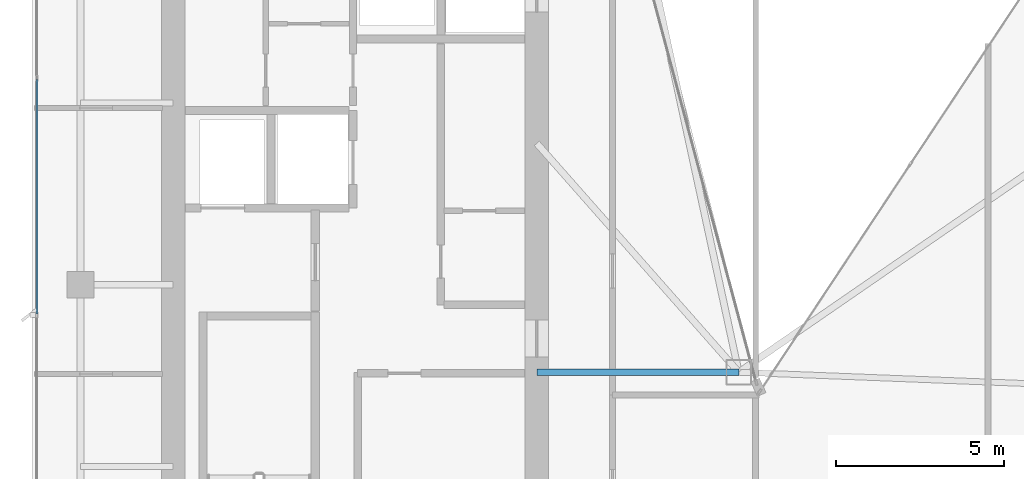
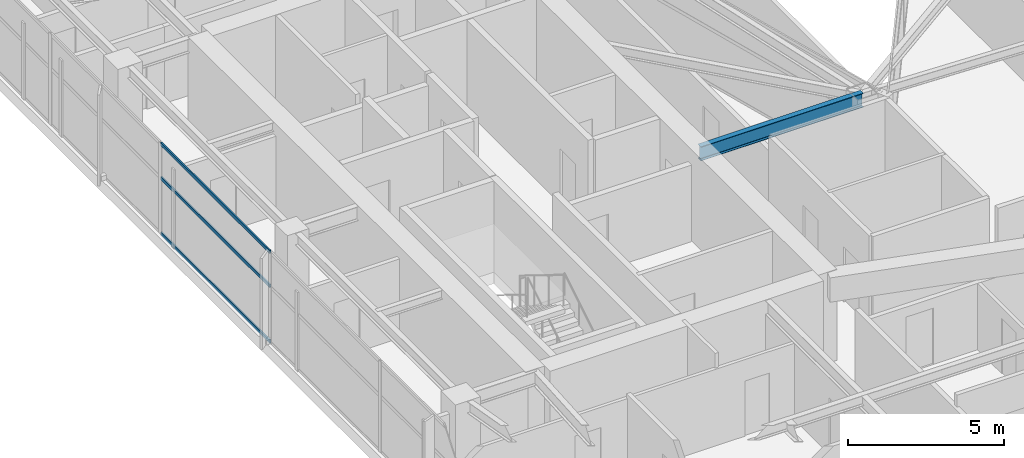
# One storey, part 10 of 28: 3 members, 1 beam, 1 element without a shape of its own.
"""IFC4 building model written with IfcOpenShell, lengths in metres."""

from ifc_helpers import new_model, si_unit, direction, frame, origin, origin_2d, place, context, subcontext, project, spatial, hollow_rectangle, i_section, extrude, material, layer, layer_set, material_profile, profile_set, type_object, element, aggregate, save


model = new_model("IFC4")

# Units and contexts
model_context = context("Model", 3, precision=1e-05, world=origin(), true_north=direction((0.0, 1.0)))
body_context = subcontext(model_context, "Body", "Model", "MODEL_VIEW")
ifc_project = project(units=[si_unit("LENGTHUNIT", "METRE"), si_unit("AREAUNIT", "SQUARE_METRE"), si_unit("VOLUMEUNIT", "CUBIC_METRE"), si_unit("PLANEANGLEUNIT", "RADIAN"), si_unit("MASSUNIT", "GRAM", prefix="KILO")], contexts=[model_context])

# Site, building, storey
site_placement = place(None, origin())
site = spatial("IfcSite", under=ifc_project, at=site_placement, CompositionType="ELEMENT")
building_placement = place(site_placement, origin())
building = spatial("IfcBuilding", under=site, at=building_placement, Name="Calvorn Quay Hotel", CompositionType="ELEMENT")
storey_placement = place(building_placement, frame((0.0, 0.0, 263.5)))
storey = spatial("IfcBuildingStorey", under=building, at=storey_placement, Name="L65", CompositionType="ELEMENT", Elevation=263.5)

# Beam
ifc_material_1 = material(Name="Steel Q355B", Category="steel")
ifc_material_profile_1 = material_profile(ifc_material_1, i_section(OverallWidth=0.199951171875, OverallDepth=0.550048828125, WebThickness=0.010009765625, FlangeThickness=0.01611328125, FilletRadius=0.01806640625, at=origin_2d()), Name="HN550x200x10x16")
ifc_profile_set_1 = profile_set([ifc_material_profile_1], Name="Steel Q355B")
beam_type = type_object("IfcBeamType", Name="BM-GIRD-UPP", PredefinedType="BEAM", material=ifc_profile_set_1)
beam_placement = place(storey_placement, frame((21.0, 25.0, 3.264892578125), z_axis=(-1.0, 0.0, 0.0), x_axis=(0.0, -1.0, 0.0)))
element("IfcBeam", 1, at=beam_placement, inside=storey, type_object=beam_type, Name="Beam BG-L65-W7", PredefinedType="BEAM", context=body_context, shape_type="SweptSolid", body=[
    extrude(i_section(OverallWidth=0.199951171875, OverallDepth=0.550048828125, WebThickness=0.010009765625, FlangeThickness=0.01611328125, FilletRadius=0.01806640625, at=origin_2d()), origin(), (0.0, 0.0, 1.0), 6.0),
])

# Curtain wall, members
ifc_material_2 = material(Name="Champagne Bronze Anodised Aluminium and Low-E Glass", Category="aluminium")
ifc_layer = layer(ifc_material_2, 0.219970703125)
ifc_layer_set = layer_set([ifc_layer], Name="CW-SYS-Z4")
curtain_wall_type = type_object("IfcCurtainWallType", Name="CW-SYS-Z4", PredefinedType="NOTDEFINED", material=ifc_layer_set)
curtain_wall_placement = place(storey_placement, origin())
curtain_wall = element("IfcCurtainWall", 2, at=curtain_wall_placement, inside=storey, type_object=curtain_wall_type, Name="Tower West Curtain Wall (L65)", PredefinedType="NOTDEFINED")
ifc_material_3 = material(Name="Champagne Bronze Anodised Aluminium 6063-T6", Category="aluminium")
ifc_material_profile_2 = material_profile(ifc_material_3, hollow_rectangle(XDim=0.054931640625, YDim=0.1298828125, WallThickness=0.003173828125, at=origin_2d()), Name="ALU-T130x55x3.2")
ifc_profile_set_2 = profile_set([ifc_material_profile_2], Name="Champagne Bronze Anodised Aluminium 6063-T6")
member_type = type_object("IfcMemberType", Name="CW-SYS-Z4-TRN", PredefinedType="USERDEFINED", material=ifc_profile_set_2)
member_1_placement = place(storey_placement, frame((0.14990234375, 26.72998046875, 0.030029296875), z_axis=(0.0, 1.0, 0.0), x_axis=(-1.0, 0.0, 0.0)))
member_1 = element("IfcMember", 3, at=member_1_placement, type_object=member_type, Name="CW-L65-W transom 4.1", ObjectType="TRANSOM", PredefinedType="USERDEFINED", context=body_context, shape_type="SweptSolid", body=[
    extrude(hollow_rectangle(XDim=0.054931640625, YDim=0.1298828125, WallThickness=0.003173828125, at=origin_2d()), origin(), (0.0, 0.0, 1.0), 6.973388671875),
])
member_2_placement = place(storey_placement, frame((0.14990234375, 26.72998046875, 2.199951171875), z_axis=(0.0, 1.0, 0.0), x_axis=(-1.0, 0.0, 0.0)))
member_2 = element("IfcMember", 4, at=member_2_placement, type_object=member_type, Name="CW-L65-W transom 4.2", ObjectType="TRANSOM", PredefinedType="USERDEFINED", context=body_context, shape_type="SweptSolid", body=[
    extrude(hollow_rectangle(XDim=0.054931640625, YDim=0.1298828125, WallThickness=0.003173828125, at=origin_2d()), origin(), (0.0, 0.0, 1.0), 6.973388671875),
])
member_3_placement = place(storey_placement, frame((0.14990234375, 26.72998046875, 3.530029296875), z_axis=(0.0, 1.0, 0.0), x_axis=(-1.0, 0.0, 0.0)))
member_3 = element("IfcMember", 5, at=member_3_placement, type_object=member_type, Name="CW-L65-W transom 4.3", ObjectType="TRANSOM", PredefinedType="USERDEFINED", context=body_context, shape_type="SweptSolid", body=[
    extrude(hollow_rectangle(XDim=0.054931640625, YDim=0.1298828125, WallThickness=0.003173828125, at=origin_2d()), origin(), (0.0, 0.0, 1.0), 6.973388671875),
])
aggregate(curtain_wall, [member_1, member_2, member_3])

save(model, "model.ifc")
